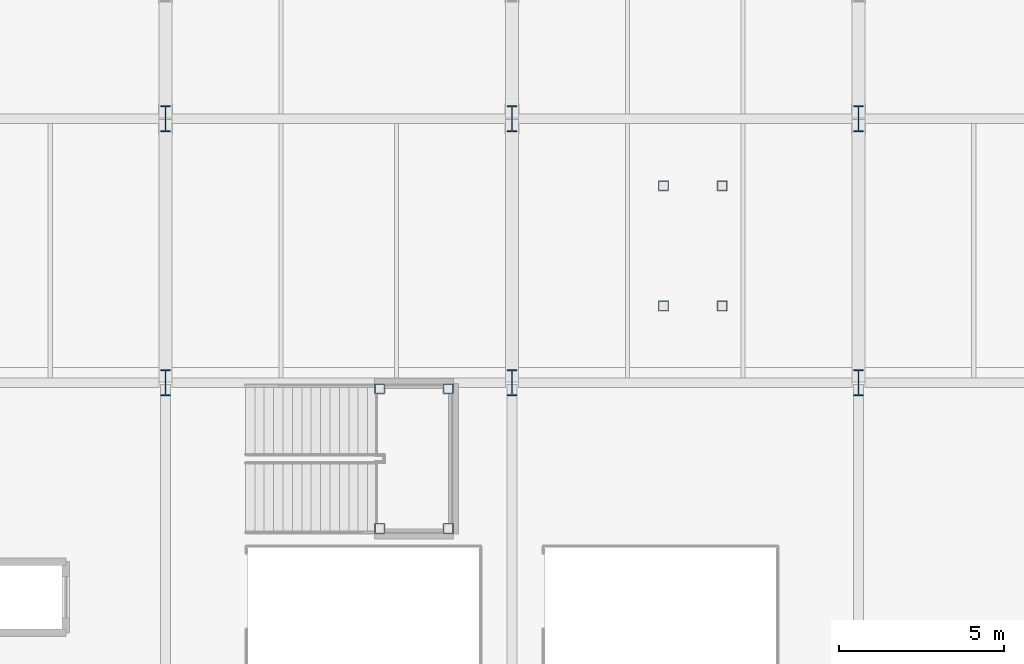
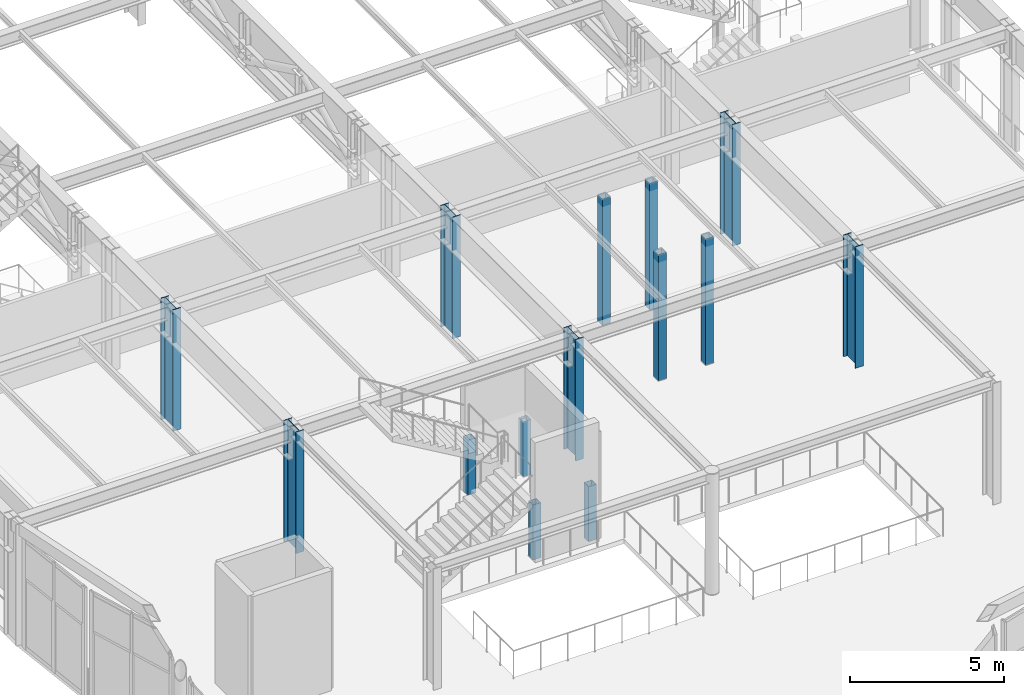
# One storey, part 4 of 143: 14 columns.
"""IFC4 building model written with IfcOpenShell, lengths in metres."""

from ifc_helpers import new_model, si_unit, direction, frame, origin, origin_2d, place, context, subcontext, project, spatial, hollow_rectangle, i_section, extrude, material, material_profile, profile_set, type_object, element, save


model = new_model("IFC4")

# Units and contexts
model_context = context("Model", 3, precision=1e-05, world=origin(), true_north=direction((0.0, 1.0)))
body_context = subcontext(model_context, "Body", "Model", "MODEL_VIEW")
ifc_project = project(units=[si_unit("LENGTHUNIT", "METRE"), si_unit("AREAUNIT", "SQUARE_METRE"), si_unit("VOLUMEUNIT", "CUBIC_METRE"), si_unit("PLANEANGLEUNIT", "RADIAN"), si_unit("MASSUNIT", "GRAM", prefix="KILO")], contexts=[model_context])

# Site, building, storey
site_placement = place(None, origin())
site = spatial("IfcSite", under=ifc_project, at=site_placement, CompositionType="ELEMENT")
building_placement = place(site_placement, origin())
building = spatial("IfcBuilding", under=site, at=building_placement, Name="Marlcrest Central Station", CompositionType="ELEMENT")
storey_placement = place(building_placement, frame((0.0, 0.0, 4.800048828125)))
storey = spatial("IfcBuildingStorey", under=building, at=storey_placement, Name="L01", CompositionType="ELEMENT", Elevation=4.800048828125)

# Columns
ifc_material = material(Name="Steel S355", Category="steel")
ifc_material_profile_1 = material_profile(ifc_material, i_section(OverallWidth=0.300048828125, OverallDepth=0.800048828125, WebThickness=0.017578125, FlangeThickness=0.032958984375, FilletRadius=0.030029296875, at=origin_2d()), Name="HEB 800")
ifc_profile_set_1 = profile_set([ifc_material_profile_1], Name="Steel S355")
column_type_1 = type_object("IfcColumnType", Name="SC-08", PredefinedType="COLUMN", material=ifc_profile_set_1)
for number, where, z_axis, x_axis, name in (
    (1, (97.5, 22.5, 0.0), (0.0, 0.0, 1.0), (1.0, 0.0, 0.0), "col-SC-08-L01-0670"),
    (2, (108.0, 22.5, 0.0), (0.0, 0.0, 1.0), (1.0, 0.0, 0.0), "col-SC-08-L01-0672"),
    (3, (118.5, 22.5, 0.0), (0.0, 0.0, 1.0), (1.0, 0.0, 0.0), "col-SC-08-L01-0674"),
    (4, (97.5, 30.5, 0.0), (0.0, 0.0, 1.0), (1.0, 0.0, 0.0), "col-SC-08-L01-0688"),
    (5, (108.0, 30.5, 0.0), (0.0, 0.0, 1.0), (1.0, 0.0, 0.0), "col-SC-08-L01-0690"),
    (6, (118.5, 30.5, 0.0), (0.0, 0.0, 1.0), (1.0, 0.0, 0.0), "col-SC-08-L01-0692"),
):
    element("IfcColumn", number, at=place(storey_placement, frame(where, z_axis=z_axis, x_axis=x_axis)), inside=storey, type_object=column_type_1, Name=name, PredefinedType="COLUMN", context=body_context, shape_type="SweptSolid", body=[
        extrude(i_section(OverallWidth=0.300048828125, OverallDepth=0.800048828125, WebThickness=0.017578125, FlangeThickness=0.032958984375, FilletRadius=0.030029296875, at=origin_2d()), origin(), (0.0, 0.0, 1.0), 4.81494140625),
    ])
ifc_material_profile_2 = material_profile(ifc_material, hollow_rectangle(XDim=0.300048828125, YDim=0.300048828125, WallThickness=0.01611328125, at=origin_2d()), Name="SHS 300x300x16")
ifc_profile_set_2 = profile_set([ifc_material_profile_2], Name="Steel S355")
column_type_2 = type_object("IfcColumnType", Name="SC-19", PredefinedType="COLUMN", material=ifc_profile_set_2)
for number, where, z_axis, x_axis, name in (
    (7, (103.989990234375, 18.080078125, 0.0), (0.0, 0.0, 1.0), (1.0, 0.0, 0.0), "htcol-lo-0033-0"),
    (8, (106.070068359375, 18.080078125, 0.0), (0.0, 0.0, 1.0), (1.0, 0.0, 0.0), "htcol-lo-0033-1"),
    (9, (106.070068359375, 22.320068359375, 0.0), (0.0, 0.0, 1.0), (1.0, 0.0, 0.0), "htcol-lo-0033-2"),
    (10, (103.989990234375, 22.320068359375, 0.0), (0.0, 0.0, 1.0), (1.0, 0.0, 0.0), "htcol-lo-0033-3"),
):
    element("IfcColumn", number, at=place(storey_placement, frame(where, z_axis=z_axis, x_axis=x_axis)), inside=storey, type_object=column_type_2, Name=name, PredefinedType="COLUMN", context=body_context, shape_type="SweptSolid", body=[
        extrude(hollow_rectangle(XDim=0.300048828125, YDim=0.300048828125, WallThickness=0.01611328125, at=origin_2d()), origin(), (0.0, 0.0, 1.0), 2.179931640625),
    ])
for number, where, z_axis, x_axis, name in (
    (11, (112.590087890625, 24.830078125, 0.0), (0.0, 0.0, 1.0), (1.0, 0.0, 0.0), "htcol-L01-0035-0"),
    (12, (114.3701171875, 24.830078125, 0.0), (0.0, 0.0, 1.0), (1.0, 0.0, 0.0), "htcol-L01-0035-1"),
    (13, (114.3701171875, 28.469970703125, 0.0), (0.0, 0.0, 1.0), (1.0, 0.0, 0.0), "htcol-L01-0035-2"),
    (14, (112.590087890625, 28.469970703125, 0.0), (0.0, 0.0, 1.0), (1.0, 0.0, 0.0), "htcol-L01-0035-3"),
):
    element("IfcColumn", number, at=place(storey_placement, frame(where, z_axis=z_axis, x_axis=x_axis)), inside=storey, type_object=column_type_2, Name=name, PredefinedType="COLUMN", context=body_context, shape_type="SweptSolid", body=[
        extrude(hollow_rectangle(XDim=0.300048828125, YDim=0.300048828125, WallThickness=0.01611328125, at=origin_2d()), origin(), (0.0, 0.0, 1.0), 5.0),
    ])

save(model, "model.ifc")
